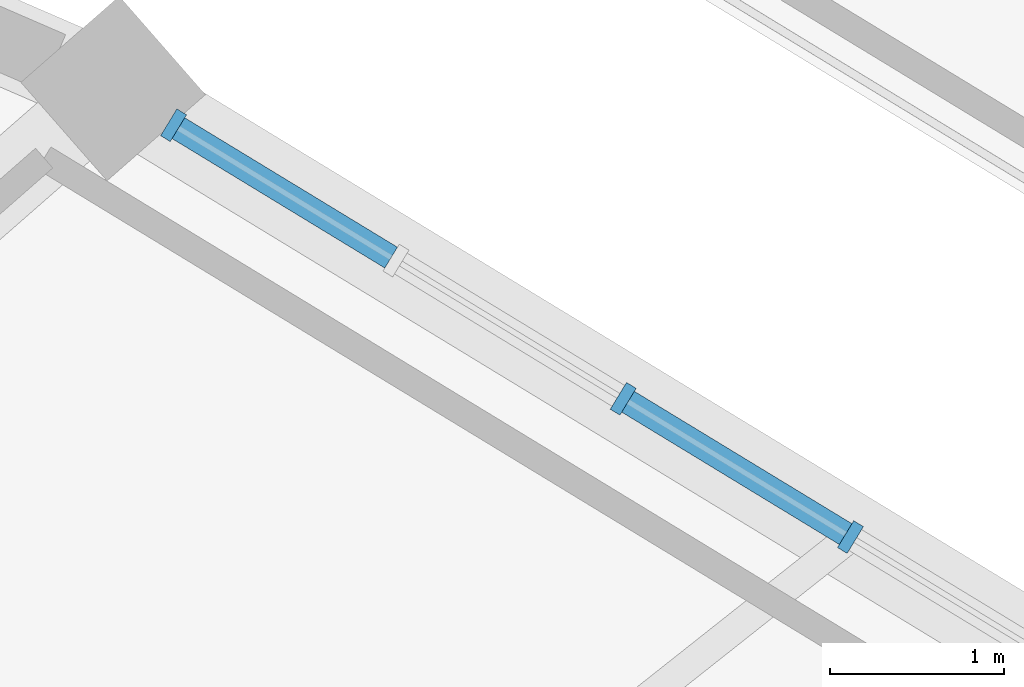
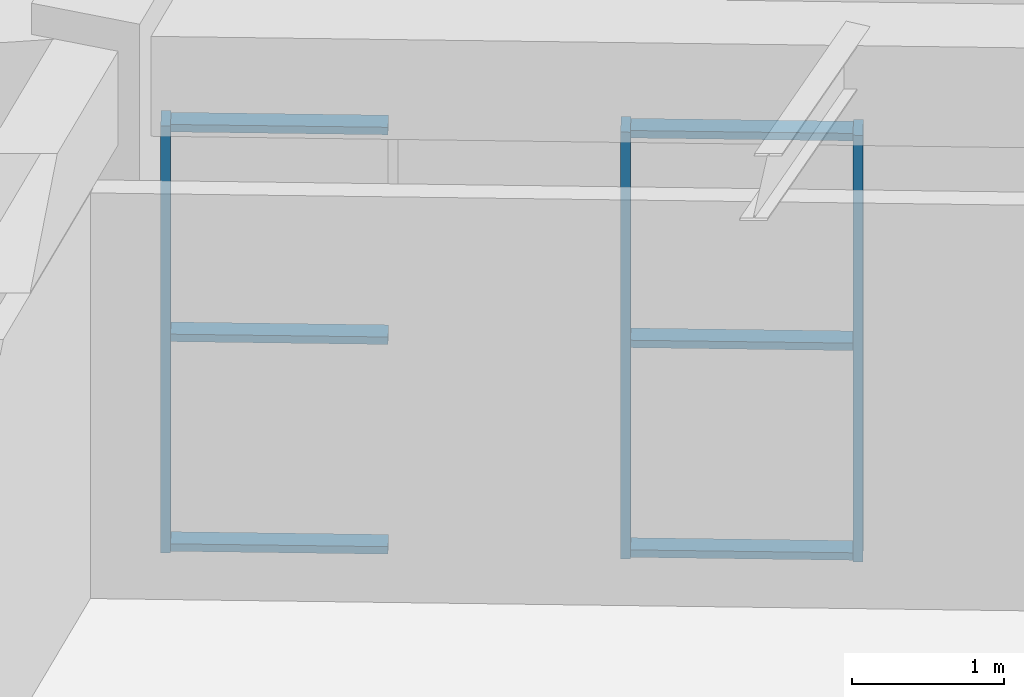
# One storey, part 65 of 141: 9 members, 1 element without a shape of its own.
"""IFC4 building model written with IfcOpenShell, lengths in metres."""

from ifc_helpers import new_model, si_unit, direction, frame, origin, origin_2d, place, context, subcontext, project, spatial, rectangle, extrude, material, layer, layer_set, material_profile, profile_set, type_object, element, aggregate, save


model = new_model("IFC4")

# Units and contexts
model_context = context("Model", 3, precision=1e-05, world=origin(), true_north=direction((0.0, 1.0)))
body_context = subcontext(model_context, "Body", "Model", "MODEL_VIEW")
ifc_project = project(units=[si_unit("LENGTHUNIT", "METRE"), si_unit("AREAUNIT", "SQUARE_METRE"), si_unit("VOLUMEUNIT", "CUBIC_METRE"), si_unit("PLANEANGLEUNIT", "RADIAN"), si_unit("MASSUNIT", "GRAM", prefix="KILO")], contexts=[model_context])

# Site, building, storey
site_placement = place(None, origin())
site = spatial("IfcSite", under=ifc_project, at=site_placement, CompositionType="ELEMENT")
building_placement = place(site_placement, origin())
building = spatial("IfcBuilding", under=site, at=building_placement, Name="Mphavela Belvedere Stadium", CompositionType="ELEMENT")
storey_placement = place(building_placement, frame((0.0, 0.0, 14.699951171875)))
storey = spatial("IfcBuildingStorey", under=building, at=storey_placement, Name="L03", CompositionType="ELEMENT", Elevation=14.699951171875)

# Curtain wall, members
ifc_material_1 = material(Name="Anodised bronze unitised curtain wall framing")
ifc_layer = layer(ifc_material_1, 0.205078125)
ifc_layer_set = layer_set([ifc_layer], Name="Anodised bronze unitised curtain wall framing")
curtain_wall_type = type_object("IfcCurtainWallType", Name="CW-UNIT-06", PredefinedType="USERDEFINED", material=ifc_layer_set)
curtain_wall_placement = place(storey_placement, origin())
curtain_wall = element("IfcCurtainWall", 1, at=curtain_wall_placement, inside=storey, type_object=curtain_wall_type, Name="Belvedere colonnade curtain wall L03-07", ObjectType="UNITISED CURTAIN WALL", PredefinedType="USERDEFINED")
ifc_material_2 = material(Name="Anodised bronze extruded aluminium", Category="aluminium")
ifc_material_profile_1 = material_profile(ifc_material_2, rectangle(XDim=0.179931640625, YDim=0.06494140625, at=origin_2d()), Name="CW-MUL 180x65")
ifc_profile_set_1 = profile_set([ifc_material_profile_1], Name="Anodised bronze extruded aluminium")
member_type_1 = type_object("IfcMemberType", Name="CWM-180x65", PredefinedType="MULLION", material=ifc_profile_set_1)
member_1_placement = place(storey_placement, frame((189.92578125, 146.28759765625, 0.0), z_axis=(0.0, 0.0, 1.0), x_axis=(-0.519738342169, -0.8543254975, 0.0)))
member_1 = element("IfcMember", 2, at=member_1_placement, type_object=member_type_1, Name="CW-06 mullion 4", PredefinedType="MULLION", context=body_context, shape_type="SweptSolid", body=[
    extrude(rectangle(XDim=0.179931640625, YDim=0.06494140625, at=origin_2d()), origin(), (0.0, 0.0, 1.0), 3.420166015625),
])
member_2_placement = place(storey_placement, frame((188.622314453125, 147.080810546875, 0.0), z_axis=(0.0, 0.0, 1.0), x_axis=(-0.519738342169, -0.8543254975, 0.0)))
member_2 = element("IfcMember", 3, at=member_2_placement, type_object=member_type_1, Name="CW-06 mullion 5", PredefinedType="MULLION", context=body_context, shape_type="SweptSolid", body=[
    extrude(rectangle(XDim=0.179931640625, YDim=0.06494140625, at=origin_2d()), origin(), (0.0, 0.0, 1.0), 3.420166015625),
])
member_3_placement = place(storey_placement, frame((186.042724609375, 148.650146484375, 0.0), z_axis=(0.0, 0.0, 1.0), x_axis=(-0.519738342169, -0.8543254975, 0.0)))
member_3 = element("IfcMember", 4, at=member_3_placement, type_object=member_type_1, Name="CW-06 mullion 7", PredefinedType="MULLION", context=body_context, shape_type="SweptSolid", body=[
    extrude(rectangle(XDim=0.179931640625, YDim=0.06494140625, at=origin_2d()), origin(), (0.0, 0.0, 1.0), 3.420166015625),
])
ifc_material_3 = material(Name="Anodised bronze extruded aluminium", Category="aluminium")
ifc_material_profile_2 = material_profile(ifc_material_3, rectangle(XDim=0.139892578125, YDim=0.06005859375, at=origin_2d()), Name="CW-TRN 140x60")
ifc_profile_set_2 = profile_set([ifc_material_profile_2], Name="Anodised bronze extruded aluminium")
member_type_2 = type_object("IfcMemberType", Name="CWT-140x60", PredefinedType="USERDEFINED", material=ifc_profile_set_2)
member_4_placement = place(storey_placement, frame((189.898193359375, 146.3046875, 0.030029296875), z_axis=(-0.854366299444, 0.519671267606, 0.0), x_axis=(-0.519671267606, -0.854366299444, 0.0)))
member_4 = element("IfcMember", 5, at=member_4_placement, type_object=member_type_2, Name="CW-06 transom 4.1", ObjectType="TRANSOM", PredefinedType="USERDEFINED", context=body_context, shape_type="SweptSolid", body=[
    extrude(rectangle(XDim=0.139892578125, YDim=0.06005859375, at=origin_2d()), origin(), (0.0, 0.0, 1.0), 1.461181640625),
])
member_5_placement = place(storey_placement, frame((189.898193359375, 146.3046875, 1.7099609375), z_axis=(-0.854366299444, 0.519671267606, 0.0), x_axis=(-0.519671267606, -0.854366299444, 0.0)))
member_5 = element("IfcMember", 6, at=member_5_placement, type_object=member_type_2, Name="CW-06 transom 4.2", ObjectType="TRANSOM", PredefinedType="USERDEFINED", context=body_context, shape_type="SweptSolid", body=[
    extrude(rectangle(XDim=0.139892578125, YDim=0.06005859375, at=origin_2d()), origin(), (0.0, 0.0, 1.0), 1.461181640625),
])
member_6_placement = place(storey_placement, frame((189.898193359375, 146.3046875, 3.39013671875), z_axis=(-0.854366299444, 0.519671267606, 0.0), x_axis=(-0.519671267606, -0.854366299444, 0.0)))
member_6 = element("IfcMember", 7, at=member_6_placement, type_object=member_type_2, Name="CW-06 transom 4.3", ObjectType="TRANSOM", PredefinedType="USERDEFINED", context=body_context, shape_type="SweptSolid", body=[
    extrude(rectangle(XDim=0.139892578125, YDim=0.06005859375, at=origin_2d()), origin(), (0.0, 0.0, 1.0), 1.461181640625),
])
member_7_placement = place(storey_placement, frame((187.290771484375, 147.890869140625, 0.030029296875), z_axis=(-0.854340431613, 0.519713793266, 0.0), x_axis=(-0.519713793266, -0.854340431613, 0.0)))
member_7 = element("IfcMember", 8, at=member_7_placement, type_object=member_type_2, Name="CW-06 transom 6.1", ObjectType="TRANSOM", PredefinedType="USERDEFINED", context=body_context, shape_type="SweptSolid", body=[
    extrude(rectangle(XDim=0.139892578125, YDim=0.06005859375, at=origin_2d()), origin(), (0.0, 0.0, 1.0), 1.428466796875),
])
member_8_placement = place(storey_placement, frame((187.290771484375, 147.890869140625, 1.7099609375), z_axis=(-0.854340431613, 0.519713793266, 0.0), x_axis=(-0.519713793266, -0.854340431613, 0.0)))
member_8 = element("IfcMember", 9, at=member_8_placement, type_object=member_type_2, Name="CW-06 transom 6.2", ObjectType="TRANSOM", PredefinedType="USERDEFINED", context=body_context, shape_type="SweptSolid", body=[
    extrude(rectangle(XDim=0.139892578125, YDim=0.06005859375, at=origin_2d()), origin(), (0.0, 0.0, 1.0), 1.428466796875),
])
member_9_placement = place(storey_placement, frame((187.290771484375, 147.890869140625, 3.39013671875), z_axis=(-0.854340431613, 0.519713793266, 0.0), x_axis=(-0.519713793266, -0.854340431613, 0.0)))
member_9 = element("IfcMember", 10, at=member_9_placement, type_object=member_type_2, Name="CW-06 transom 6.3", ObjectType="TRANSOM", PredefinedType="USERDEFINED", context=body_context, shape_type="SweptSolid", body=[
    extrude(rectangle(XDim=0.139892578125, YDim=0.06005859375, at=origin_2d()), origin(), (0.0, 0.0, 1.0), 1.428466796875),
])
aggregate(curtain_wall, [member_1, member_2, member_3, member_4, member_5, member_6, member_7, member_8, member_9])

save(model, "model.ifc")
